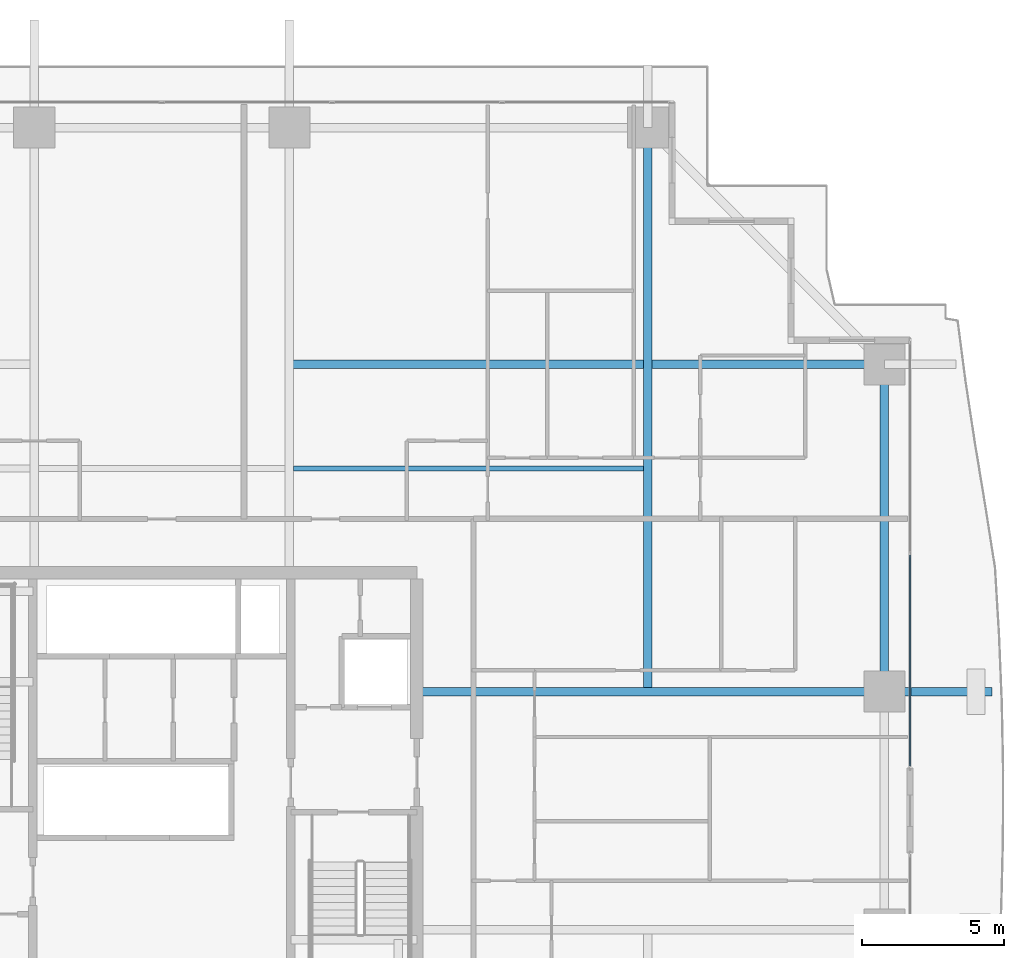
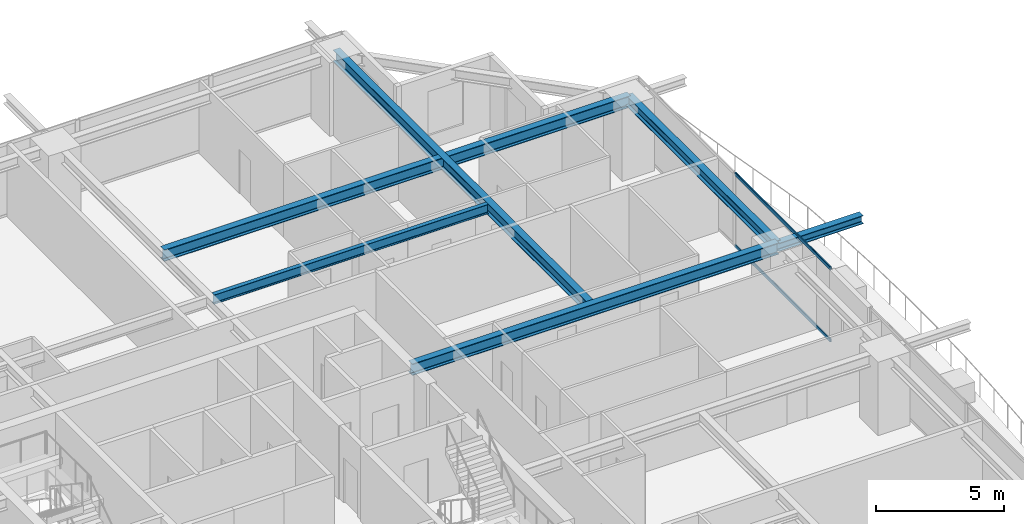
# One storey, part 22 of 39: 6 beams, 2 members, 1 element without a shape of its own.
"""IFC4 building model written with IfcOpenShell, lengths in metres."""

from ifc_helpers import new_model, si_unit, direction, frame, origin, origin_2d, place, context, subcontext, project, spatial, hollow_rectangle, i_section, extrude, source, transform, mapped, material, layer, layer_set, material_profile, profile_set, type_object, element, aggregate, save


model = new_model("IFC4")

# Units and contexts
model_context = context("Model", 3, precision=1e-05, world=origin(), true_north=direction((0.0, 1.0)))
body_context = subcontext(model_context, "Body", "Model", "MODEL_VIEW")
ifc_project = project(units=[si_unit("LENGTHUNIT", "METRE"), si_unit("AREAUNIT", "SQUARE_METRE"), si_unit("VOLUMEUNIT", "CUBIC_METRE"), si_unit("PLANEANGLEUNIT", "RADIAN"), si_unit("MASSUNIT", "GRAM", prefix="KILO")], contexts=[model_context])

# Site, building, storey
site_placement = place(None, origin())
site = spatial("IfcSite", under=ifc_project, at=site_placement, CompositionType="ELEMENT")
building_placement = place(site_placement, origin())
building = spatial("IfcBuilding", under=site, at=building_placement, Name="Serunith Strait Residences", CompositionType="ELEMENT")
storey_placement = place(building_placement, frame((0.0, 0.0, 79.199951171875)))
storey = spatial("IfcBuildingStorey", under=building, at=storey_placement, Name="L19", CompositionType="ELEMENT", Elevation=79.199951171875)

# Beams
ifc_material_1 = material(Name="Steel S355J2", Category="steel")
ifc_material_profile_1 = material_profile(ifc_material_1, i_section(OverallWidth=0.300048828125, OverallDepth=0.550048828125, WebThickness=0.014892578125, FlangeThickness=0.029052734375, FilletRadius=0.027099609375, at=origin_2d()), Name="HEB 550")
ifc_profile_set_1 = profile_set([ifc_material_profile_1], Name="Steel S355J2")
beam_type_1 = type_object("IfcBeamType", Name="BM-HEB550", PredefinedType="BEAM", material=ifc_profile_set_1)
shared_shape_1 = source(origin(), body_context, "Body", "SweptSolid", [
    extrude(i_section(OverallWidth=0.300048828125, OverallDepth=0.550048828125, WebThickness=0.014892578125, FlangeThickness=0.029052734375, FilletRadius=0.027099609375, at=origin_2d()), origin(), (0.0, 0.0, 1.0), 16.5),
])
beam_1_placement = place(storey_placement, frame((41.39990234375, 29.39990234375, 3.212158203125), z_axis=(1.0, 0.0, 0.0), x_axis=(0.0, 1.0, 0.0)))
element("IfcBeam", 1, at=beam_1_placement, inside=storey, type_object=beam_type_1, Name="L19 Primary Floor Girder TC-E3", PredefinedType="BEAM", context=body_context, shape_type="MappedRepresentation", body=[
    mapped(shared_shape_1, transform((0.0, 0.0, 0.0), scale=1.0)),
])
shared_shape_2 = source(origin(), body_context, "Body", "SweptSolid", [
    extrude(i_section(OverallWidth=0.300048828125, OverallDepth=0.550048828125, WebThickness=0.014892578125, FlangeThickness=0.029052734375, FilletRadius=0.027099609375, at=origin_2d()), origin(), (0.0, 0.0, 1.0), 19.900146484375),
])
beam_2_placement = place(storey_placement, frame((49.550048828125, 29.39990234375, 3.212158203125), z_axis=(0.0, 1.0, 0.0), x_axis=(-1.0, 0.0, 0.0)))
element("IfcBeam", 2, at=beam_2_placement, inside=storey, type_object=beam_type_1, Name="L19 Orthogonal Corner Girder TC-N4", PredefinedType="BEAM", context=body_context, shape_type="MappedRepresentation", body=[
    mapped(shared_shape_2, transform((0.0, 0.0, 0.0), scale=1.0)),
])
shared_shape_3 = source(origin(), body_context, "Body", "SweptSolid", [
    extrude(i_section(OverallWidth=0.300048828125, OverallDepth=0.550048828125, WebThickness=0.014892578125, FlangeThickness=0.029052734375, FilletRadius=0.027099609375, at=origin_2d()), origin(), (0.0, 0.0, 1.0), 21.0),
])
beam_3_placement = place(storey_placement, frame((36.89990234375, 40.949951171875, 3.212158203125), z_axis=(1.0, 0.0, 0.0), x_axis=(0.0, 1.0, 0.0)))
element("IfcBeam", 3, at=beam_3_placement, inside=storey, type_object=beam_type_1, Name="L19 Orthogonal Corner Girder TC-E4", PredefinedType="BEAM", context=body_context, shape_type="MappedRepresentation", body=[
    mapped(shared_shape_3, transform((0.0, 0.0, 0.0), scale=1.0)),
])
ifc_material_profile_2 = material_profile(ifc_material_1, i_section(OverallWidth=0.300048828125, OverallDepth=0.5, WebThickness=0.014404296875, FlangeThickness=0.028076171875, FilletRadius=0.027099609375, at=origin_2d()), Name="HEB 500")
ifc_profile_set_2 = profile_set([ifc_material_profile_2], Name="Steel S355J2")
beam_type_2 = type_object("IfcBeamType", Name="BM-HEB500", PredefinedType="BEAM", material=ifc_profile_set_2)
shared_shape_4 = source(origin(), body_context, "Body", "SweptSolid", [
    extrude(i_section(OverallWidth=0.300048828125, OverallDepth=0.5, WebThickness=0.014404296875, FlangeThickness=0.028076171875, FilletRadius=0.027099609375, at=origin_2d()), origin(), (0.0, 0.0, 1.0), 11.550048828125),
])
beam_4_placement = place(storey_placement, frame((57.89990234375, 29.39990234375, 3.237060546875), z_axis=(0.0, 1.0, 0.0), x_axis=(-1.0, 0.0, 0.0)))
element("IfcBeam", 4, at=beam_4_placement, inside=storey, type_object=beam_type_2, Name="L19 Perimeter Ring Beam 07", PredefinedType="BEAM", context=body_context, shape_type="MappedRepresentation", body=[
    mapped(shared_shape_4, transform((0.0, 0.0, 0.0), scale=1.0)),
])
ifc_material_profile_3 = material_profile(ifc_material_1, i_section(OverallWidth=0.300048828125, OverallDepth=0.39990234375, WebThickness=0.013427734375, FlangeThickness=0.02392578125, FilletRadius=0.027099609375, at=origin_2d()), Name="HEB 400")
ifc_profile_set_3 = profile_set([ifc_material_profile_3], Name="Steel S355J2")
beam_type_3 = type_object("IfcBeamType", Name="BM-HEB400", PredefinedType="BEAM", material=ifc_profile_set_3)
shared_shape_5 = source(origin(), body_context, "Body", "SweptSolid", [
    extrude(i_section(OverallWidth=0.300048828125, OverallDepth=0.39990234375, WebThickness=0.013427734375, FlangeThickness=0.02392578125, FilletRadius=0.027099609375, at=origin_2d()), origin(), (0.0, 0.0, 1.0), 3.800048828125),
])
beam_5_placement = place(storey_placement, frame((57.89990234375, 29.39990234375, 3.257080078125), z_axis=(1.0, 0.0, 0.0), x_axis=(0.0, 1.0, 0.0)))
element("IfcBeam", 5, at=beam_5_placement, inside=storey, type_object=beam_type_3, Name="L20 Cantilevered Balcony Rib TC-E3", PredefinedType="BEAM", context=body_context, shape_type="MappedRepresentation", body=[
    mapped(shared_shape_5, transform((0.0, 0.0, 0.0), scale=1.0)),
])
ifc_material_profile_4 = material_profile(ifc_material_1, i_section(OverallWidth=0.18994140625, OverallDepth=0.449951171875, WebThickness=0.009521484375, FlangeThickness=0.0146484375, FilletRadius=0.02099609375, at=origin_2d()), Name="IPE 450")
ifc_profile_set_4 = profile_set([ifc_material_profile_4], Name="Steel S355J2")
beam_type_4 = type_object("IfcBeamType", Name="BM-IPE450", PredefinedType="JOIST", material=ifc_profile_set_4)
shared_shape_6 = source(origin(), body_context, "Body", "SweptSolid", [
    extrude(i_section(OverallWidth=0.18994140625, OverallDepth=0.449951171875, WebThickness=0.009521484375, FlangeThickness=0.0146484375, FilletRadius=0.02099609375, at=origin_2d()), origin(), (0.0, 0.0, 1.0), 12.349853515625),
])
beam_6_placement = place(storey_placement, frame((37.050048828125, 37.27490234375, 3.261962890625), z_axis=(1.0, 0.0, 0.0), x_axis=(0.0, 1.0, 0.0)))
element("IfcBeam", 6, at=beam_6_placement, inside=storey, type_object=beam_type_4, Name="L19 Composite Floor Joist 06", PredefinedType="JOIST", context=body_context, shape_type="MappedRepresentation", body=[
    mapped(shared_shape_6, transform((0.0, 0.0, 0.0), scale=1.0)),
])

# Curtain wall, members
ifc_material_2 = material(Name="Pale-Champagne Anodised Aluminium", Category="aluminium")
ifc_layer = layer(ifc_material_2, 0.199951171875, Name="Pale-Champagne Anodised Aluminium")
ifc_layer_set = layer_set([ifc_layer], Name="Pale-Champagne Anodised Aluminium")
curtain_wall_type = type_object("IfcCurtainWallType", Name="CW-SYS1", PredefinedType="NOTDEFINED", material=ifc_layer_set)
curtain_wall_placement = place(storey_placement, origin())
curtain_wall = element("IfcCurtainWall", 7, at=curtain_wall_placement, inside=storey, type_object=curtain_wall_type, Name="L19 E Unitised Fritted Curtain Wall", PredefinedType="NOTDEFINED")
ifc_material_profile_5 = material_profile(ifc_material_2, hollow_rectangle(XDim=0.06005859375, YDim=0.159912109375, WallThickness=0.00341796875, InnerFilletRadius=0.00537109375, OuterFilletRadius=0.0087890625, at=origin_2d()), Name="ALU 160x60x3.5")
ifc_profile_set_5 = profile_set([ifc_material_profile_5], Name="Pale-Champagne Anodised Aluminium")
member_type = type_object("IfcMemberType", Name="CW-SYS1-TRAN", PredefinedType="USERDEFINED", material=ifc_profile_set_5)
shared_shape_7 = source(origin(), body_context, "Body", "SweptSolid", [
    extrude(hollow_rectangle(XDim=0.06005859375, YDim=0.159912109375, WallThickness=0.00341796875, InnerFilletRadius=0.00537109375, OuterFilletRadius=0.0087890625, at=origin_2d()), origin(), (0.0, 0.0, 1.0), 7.445068359375),
])
member_1_placement = place(storey_placement, frame((58.800048828125, 26.77001953125, 0.030029296875), z_axis=(0.0, 1.0, 0.0), x_axis=(-1.0, 0.0, 0.0)))
member_1 = element("IfcMember", 8, at=member_1_placement, type_object=member_type, Name="CW-1 transom 1.1", ObjectType="TRANSOM", PredefinedType="USERDEFINED", context=body_context, shape_type="MappedRepresentation", body=[
    mapped(shared_shape_7, transform((0.0, 0.0, 0.0), scale=1.0)),
])
member_2_placement = place(storey_placement, frame((58.800048828125, 26.77001953125, 3.445068359375), z_axis=(0.0, 1.0, 0.0), x_axis=(-1.0, 0.0, 0.0)))
member_2 = element("IfcMember", 9, at=member_2_placement, type_object=member_type, Name="CW-1 transom 1.2", ObjectType="TRANSOM", PredefinedType="USERDEFINED", context=body_context, shape_type="MappedRepresentation", body=[
    mapped(shared_shape_7, transform((0.0, 0.0, 0.0), scale=1.0)),
])
aggregate(curtain_wall, [member_1, member_2])

save(model, "model.ifc")
